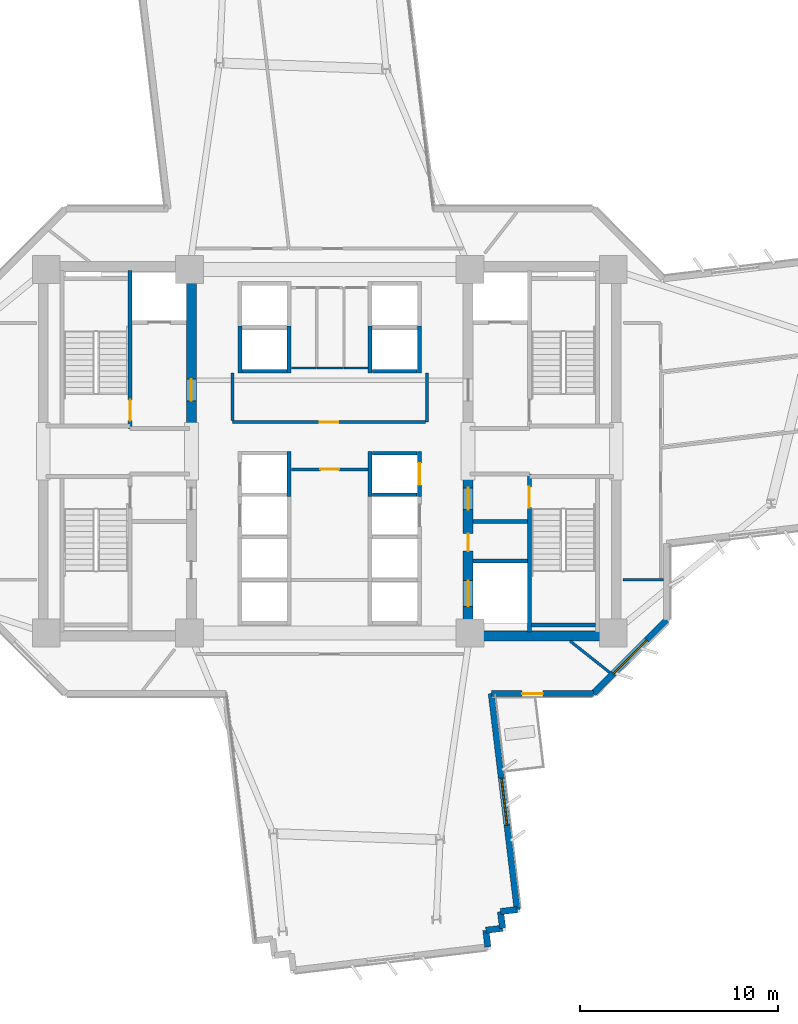
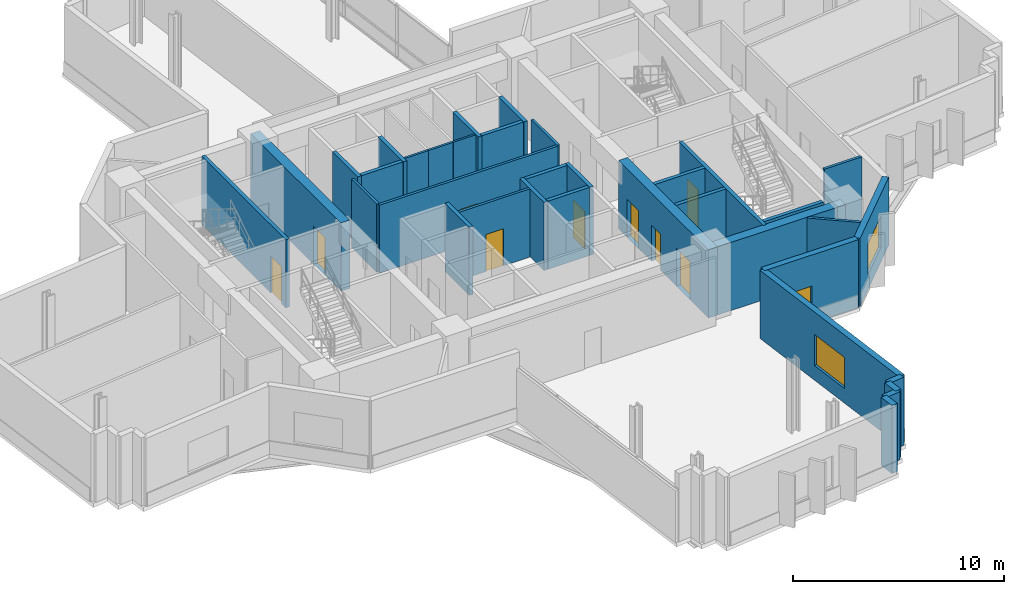
# One storey, part 7 of 15: 35 walls, 10 doors, 2 windows, 12 openings.
"""IFC4 building model written with IfcOpenShell, lengths in metres."""

from ifc_helpers import new_model, si_unit, direction, frame, frame_2d, origin, place, context, subcontext, project, spatial, rectangle, extrude, source, transform, mapped, material, layer, layer_set, type_object, element, fill, save


model = new_model("IFC4")

# Units and contexts
model_context = context("Model", 3, precision=1e-05, world=origin(), true_north=direction((0.0, 1.0)))
body_context = subcontext(model_context, "Body", "Model", "MODEL_VIEW")
ifc_project = project(units=[si_unit("LENGTHUNIT", "METRE"), si_unit("AREAUNIT", "SQUARE_METRE"), si_unit("VOLUMEUNIT", "CUBIC_METRE"), si_unit("PLANEANGLEUNIT", "RADIAN"), si_unit("MASSUNIT", "GRAM", prefix="KILO")], contexts=[model_context])

# Site, building, storey
site_placement = place(None, origin())
site = spatial("IfcSite", under=ifc_project, at=site_placement, CompositionType="ELEMENT")
building_placement = place(site_placement, origin())
building = spatial("IfcBuilding", under=site, at=building_placement, Name="Zahravan Cultural Tower", CompositionType="ELEMENT")
storey_placement = place(building_placement, frame((0.0, 0.0, 108.89990234375)))
storey = spatial("IfcBuildingStorey", under=building, at=storey_placement, Name="L24", CompositionType="ELEMENT", Elevation=108.89990234375)

# Wall, opening, door
ifc_material_1 = material(Name="Concrete C60/75", Category="concrete")
ifc_layer_1 = layer(ifc_material_1, 0.5)
ifc_layer_set_1 = layer_set([ifc_layer_1], Name="Concrete C60/75")
wall_type_1 = type_object("IfcWallType", Name="CW-SHEAR-500-C60", PredefinedType="SHEAR", material=ifc_layer_set_1)
wall_1_placement = place(storey_placement, frame((29.0, 28.050048828125, 0.0), z_axis=(0.0, 0.0, 1.0), x_axis=(0.0, 1.0, 0.0)))
wall_1 = element("IfcWall", 1, at=wall_1_placement, inside=storey, type_object=wall_type_1, Name="L24 Core Shear Wall CW-W-EN-L24", PredefinedType="SHEAR", context=body_context, shape_type="SweptSolid", body=[
    extrude(rectangle(XDim=8.550048828125, YDim=0.5, at=frame_2d((4.27490234375, 0.0))), origin(), (0.0, 0.0, 1.0), 3.9501953125),
])
opening_1_placement = place(wall_1_placement, frame((1.5, 0.0, 0.0)))
opening_1 = element("IfcOpeningElement", 2, at=opening_1_placement, cuts=wall_1, Name="Opening D-L24-05", PredefinedType="OPENING", context=body_context, shape_type="SweptSolid", body=[
    extrude(rectangle(XDim=1.10009765625, YDim=2.199951171875, at=frame_2d((0.550048828125, 1.10009765625))), frame((0.0, 0.260009765625, 0.0), z_axis=(0.0, -1.0, 0.0), x_axis=(1.0, 0.0, 0.0)), (0.0, 0.0, 1.0), 0.52001953125),
])
ifc_material_2 = material(Name="Steel ASTM A572 Grade 50", Category="steel")
door_type_1 = type_object("IfcDoorType", Name="DR-LOBBY-1100", OperationType="NOTDEFINED", PredefinedType="DOOR", material=ifc_material_2)
shared_shape_1 = source(origin(), body_context, "Body", "SweptSolid", [
    extrude(rectangle(XDim=1.10009765625, YDim=2.199951171875, at=frame_2d((0.550048828125, 1.10009765625))), frame((0.0, 0.02490234375, 0.0), z_axis=(0.0, -1.0, 0.0), x_axis=(1.0, 0.0, 0.0)), (0.0, 0.0, 1.0), 0.050048828125),
])
door_1_placement = place(opening_1_placement, origin())
door_1 = element("IfcDoor", 3, at=door_1_placement, inside=storey, type_object=door_type_1, Name="L24 Door D-L24-05", OperationType="SINGLE_SWING_RIGHT", OverallHeight=2.199951171875, OverallWidth=1.10009765625, PredefinedType="DOOR", context=body_context, shape_type="MappedRepresentation", body=[
    mapped(shared_shape_1, transform((0.0, 0.0, 0.0), x_axis=(1.0, 0.0, 0.0), y_axis=(0.0, 1.0, 0.0), z_axis=(0.0, 0.0, 1.0), scale=1.0)),
])
fill(opening_1, door_1)

# Wall, openings, doors
wall_2_placement = place(storey_placement, frame((43.0, 17.39990234375, 0.0), z_axis=(0.0, 0.0, 1.0), x_axis=(0.0, 1.0, 0.0)))
wall_2 = element("IfcWall", 4, at=wall_2_placement, inside=storey, type_object=wall_type_1, Name="L24 Core Shear Wall CW-E-WS-L24", PredefinedType="SHEAR", context=body_context, shape_type="SweptSolid", body=[
    extrude(rectangle(XDim=8.550048828125, YDim=0.5, at=frame_2d((4.27490234375, 0.0))), origin(), (0.0, 0.0, 1.0), 3.9501953125),
])
opening_2_placement = place(wall_2_placement, frame((6.64990234375, 0.0, 0.0)))
opening_2 = element("IfcOpeningElement", 5, at=opening_2_placement, cuts=wall_2, Name="Opening D-L24-08", PredefinedType="OPENING", context=body_context, shape_type="SweptSolid", body=[
    extrude(rectangle(XDim=1.10009765625, YDim=2.199951171875, at=frame_2d((0.550048828125, 1.10009765625))), frame((0.0, 0.260009765625, 0.0), z_axis=(0.0, -1.0, 0.0), x_axis=(1.0, 0.0, 0.0)), (0.0, 0.0, 1.0), 0.52001953125),
])
opening_3_placement = place(wall_2_placement, frame((1.75, 0.0, 0.0)))
opening_3 = element("IfcOpeningElement", 6, at=opening_3_placement, cuts=wall_2, Name="Opening LD-L24-03", PredefinedType="OPENING", context=body_context, shape_type="SweptSolid", body=[
    extrude(rectangle(XDim=1.300048828125, YDim=2.199951171875, at=frame_2d((0.64990234375, 1.10009765625))), frame((0.0, 0.260009765625, 0.0), z_axis=(0.0, -1.0, 0.0), x_axis=(1.0, 0.0, 0.0)), (0.0, 0.0, 1.0), 0.52001953125),
])
opening_4_placement = place(wall_2_placement, frame((4.550048828125, 0.0, 0.0)))
opening_4 = element("IfcOpeningElement", 7, at=opening_4_placement, cuts=wall_2, Name="Opening D-L24-10", PredefinedType="OPENING", context=body_context, shape_type="SweptSolid", body=[
    extrude(rectangle(XDim=0.8798828125, YDim=2.10009765625, at=frame_2d((0.43994140625, 1.050048828125))), frame((0.0, 0.260009765625, 0.0), z_axis=(0.0, -1.0, 0.0), x_axis=(1.0, 0.0, 0.0)), (0.0, 0.0, 1.0), 0.52001953125),
])
door_2_placement = place(opening_2_placement, origin())
door_2 = element("IfcDoor", 8, at=door_2_placement, inside=storey, type_object=door_type_1, Name="L24 Door D-L24-08", OperationType="SINGLE_SWING_LEFT", OverallHeight=2.199951171875, OverallWidth=1.10009765625, PredefinedType="DOOR", context=body_context, shape_type="MappedRepresentation", body=[
    mapped(shared_shape_1, transform((0.0, 0.0, 0.0), x_axis=(1.0, 0.0, 0.0), y_axis=(0.0, 1.0, 0.0), z_axis=(0.0, 0.0, 1.0), scale=1.0)),
])
fill(opening_2, door_2)
door_type_2 = type_object("IfcDoorType", Name="DR-LIFT-1300", OperationType="DOUBLE_DOOR_SLIDING", PredefinedType="DOOR", material=ifc_material_2)
shared_shape_2 = source(origin(), body_context, "Body", "SweptSolid", [
    extrude(rectangle(XDim=1.300048828125, YDim=2.199951171875, at=frame_2d((0.64990234375, 1.10009765625))), frame((0.0, 0.02490234375, 0.0), z_axis=(0.0, -1.0, 0.0), x_axis=(1.0, 0.0, 0.0)), (0.0, 0.0, 1.0), 0.050048828125),
])
door_3_placement = place(opening_3_placement, origin())
door_3 = element("IfcDoor", 9, at=door_3_placement, inside=storey, type_object=door_type_2, Name="L24 Door LD-L24-03", OperationType="DOUBLE_DOOR_SLIDING", OverallHeight=2.199951171875, OverallWidth=1.300048828125, PredefinedType="DOOR", context=body_context, shape_type="MappedRepresentation", body=[
    mapped(shared_shape_2, transform((0.0, 0.0, 0.0), x_axis=(1.0, 0.0, 0.0), y_axis=(0.0, 1.0, 0.0), z_axis=(0.0, 0.0, 1.0), scale=1.0)),
])
fill(opening_3, door_3)
door_type_3 = type_object("IfcDoorType", Name="DR-SVC-880", OperationType="NOTDEFINED", PredefinedType="DOOR", material=ifc_material_2)
shared_shape_3 = source(origin(), body_context, "Body", "SweptSolid", [
    extrude(rectangle(XDim=0.8798828125, YDim=2.10009765625, at=frame_2d((0.43994140625, 1.050048828125))), frame((0.0, 0.02490234375, 0.0), z_axis=(0.0, -1.0, 0.0), x_axis=(1.0, 0.0, 0.0)), (0.0, 0.0, 1.0), 0.050048828125),
])
door_4_placement = place(opening_4_placement, origin())
door_4 = element("IfcDoor", 10, at=door_4_placement, inside=storey, type_object=door_type_3, Name="L24 Door D-L24-10", OperationType="SINGLE_SWING_LEFT", OverallHeight=2.10009765625, OverallWidth=0.8798828125, PredefinedType="DOOR", context=body_context, shape_type="MappedRepresentation", body=[
    mapped(shared_shape_3, transform((0.0, 0.0, 0.0), x_axis=(1.0, 0.0, 0.0), y_axis=(0.0, 1.0, 0.0), z_axis=(0.0, 0.0, 1.0), scale=1.0)),
])
fill(opening_4, door_4)

# Wall, opening, window
ifc_material_3 = material(Name="Precast concrete C40/50", Category="concrete")
ifc_layer_2 = layer(ifc_material_3, 0.320068359375)
ifc_layer_set_2 = layer_set([ifc_layer_2], Name="Precast concrete C40/50")
wall_type_2 = type_object("IfcWallType", Name="EW-TC-320", PredefinedType="SOLIDWALL", material=ifc_layer_set_2)
wall_3_placement = place(storey_placement, frame((53.06005859375, 18.4580078125, 0.0), z_axis=(0.0, 0.0, 1.0), x_axis=(-0.707106781187, -0.707106781187, 0.0)))
wall_3 = element("IfcWall", 11, at=wall_3_placement, inside=storey, type_object=wall_type_2, Name="L24 Exterior Masonry Frame Wall 13", PredefinedType="SOLIDWALL", context=body_context, shape_type="SweptSolid", body=[
    extrude(rectangle(XDim=5.258056640625, YDim=0.320068359375, at=frame_2d((2.62890625, 0.0))), origin(), (0.0, 0.0, 1.0), 3.9501953125),
])
opening_5_placement = place(wall_3_placement, frame((1.428955078125, 0.0, 0.85009765625)))
opening_5 = element("IfcOpeningElement", 12, at=opening_5_placement, cuts=wall_3, Name="Opening WN-01", PredefinedType="OPENING", context=body_context, shape_type="SweptSolid", body=[
    extrude(rectangle(XDim=2.39990234375, YDim=1.800048828125, at=frame_2d((1.199951171875, 0.89990234375))), frame((0.0, 0.169921875, 0.0), z_axis=(0.0, -1.0, 0.0), x_axis=(1.0, 0.0, 0.0)), (0.0, 0.0, 1.0), 0.340087890625),
])
ifc_material_4 = material(Name="Low-E solar-control double glazing", Category="glass")
window_type = type_object("IfcWindowType", Name="WN-REC-2400X1800", PartitioningType="DOUBLE_PANEL_VERTICAL", PredefinedType="WINDOW", material=ifc_material_4)
shared_shape_4 = source(origin(), body_context, "Body", "SweptSolid", [
    extrude(rectangle(XDim=2.39990234375, YDim=1.800048828125, at=frame_2d((1.199951171875, 0.89990234375))), frame((0.0, 0.030029296875, 0.0), z_axis=(0.0, -1.0, 0.0), x_axis=(1.0, 0.0, 0.0)), (0.0, 0.0, 1.0), 0.06005859375),
])
window_1_placement = place(opening_5_placement, origin())
window_1 = element("IfcWindow", 13, at=window_1_placement, inside=storey, type_object=window_type, Name="L24 Recessed Solar Window 04", OverallHeight=1.800048828125, OverallWidth=2.39990234375, PartitioningType="DOUBLE_PANEL_VERTICAL", PredefinedType="WINDOW", context=body_context, shape_type="MappedRepresentation", body=[
    mapped(shared_shape_4, transform((0.0, 0.0, 0.0), x_axis=(1.0, 0.0, 0.0), y_axis=(0.0, 1.0, 0.0), z_axis=(0.0, 0.0, 1.0), scale=1.0)),
])
fill(opening_5, window_1)

# Wall, opening, door
wall_4_placement = place(storey_placement, frame((49.342041015625, 14.739990234375, 0.0), z_axis=(0.0, 0.0, 1.0), x_axis=(-1.0, 0.0, 0.0)))
wall_4 = element("IfcWall", 14, at=wall_4_placement, inside=storey, type_object=wall_type_2, Name="L24 Exterior Masonry Frame Wall 14", PredefinedType="SOLIDWALL", context=body_context, shape_type="SweptSolid", body=[
    extrude(rectangle(XDim=5.16357421875, YDim=0.320068359375, at=frame_2d((2.581787109375, 0.0))), origin(), (0.0, 0.0, 1.0), 3.9501953125),
])
opening_6_placement = place(wall_4_placement, frame((2.550048828125, 0.0, 0.0)))
opening_6 = element("IfcOpeningElement", 15, at=opening_6_placement, cuts=wall_4, Name="Opening D-L24-TR-SE", PredefinedType="OPENING", context=body_context, shape_type="SweptSolid", body=[
    extrude(rectangle(XDim=1.050048828125, YDim=2.14990234375, at=frame_2d((0.52490234375, 1.074951171875))), frame((0.0, 0.169921875, 0.0), z_axis=(0.0, -1.0, 0.0), x_axis=(1.0, 0.0, 0.0)), (0.0, 0.0, 1.0), 0.340087890625),
])
ifc_material_5 = material(Name="Anodised bronze-aluminium mullion", Category="aluminium")
door_type_4 = type_object("IfcDoorType", Name="DR-TERR-1050", OperationType="NOTDEFINED", PredefinedType="DOOR", material=ifc_material_5)
shared_shape_5 = source(origin(), body_context, "Body", "SweptSolid", [
    extrude(rectangle(XDim=1.050048828125, YDim=2.14990234375, at=frame_2d((0.52490234375, 1.074951171875))), frame((0.0, 0.02490234375, 0.0), z_axis=(0.0, -1.0, 0.0), x_axis=(1.0, 0.0, 0.0)), (0.0, 0.0, 1.0), 0.050048828125),
])
door_5_placement = place(opening_6_placement, origin())
door_5 = element("IfcDoor", 16, at=door_5_placement, inside=storey, type_object=door_type_4, Name="L24 Terrace Access Door SE", OperationType="SINGLE_SWING_LEFT", OverallHeight=2.14990234375, OverallWidth=1.050048828125, PredefinedType="DOOR", context=body_context, shape_type="MappedRepresentation", body=[
    mapped(shared_shape_5, transform((0.0, 0.0, 0.0), x_axis=(1.0, 0.0, 0.0), y_axis=(0.0, 1.0, 0.0), z_axis=(0.0, 0.0, 1.0), scale=1.0)),
])
fill(opening_6, door_5)

# Wall, opening, window
wall_5_placement = place(storey_placement, frame((44.178466796875, 14.739990234375, 0.0), z_axis=(0.0, 0.0, 1.0), x_axis=(0.119086653457, -0.992883864794, 0.0)))
wall_5 = element("IfcWall", 17, at=wall_5_placement, inside=storey, type_object=wall_type_2, Name="L24 Exterior Masonry Frame Wall 15", PredefinedType="SOLIDWALL", context=body_context, shape_type="SweptSolid", body=[
    extrude(rectangle(XDim=11.01318359375, YDim=0.320068359375, at=frame_2d((5.506591796875, 0.0))), origin(), (0.0, 0.0, 1.0), 3.9501953125),
])
opening_7_placement = place(wall_5_placement, frame((4.306884765625, 0.0, 0.85009765625)))
opening_7 = element("IfcOpeningElement", 18, at=opening_7_placement, cuts=wall_5, Name="Opening WN-01", PredefinedType="OPENING", context=body_context, shape_type="SweptSolid", body=[
    extrude(rectangle(XDim=2.39990234375, YDim=1.800048828125, at=frame_2d((1.199951171875, 0.89990234375))), frame((0.0, 0.169921875, 0.0), z_axis=(0.0, -1.0, 0.0), x_axis=(1.0, 0.0, 0.0)), (0.0, 0.0, 1.0), 0.340087890625),
])
window_2_placement = place(opening_7_placement, origin())
window_2 = element("IfcWindow", 19, at=window_2_placement, inside=storey, type_object=window_type, Name="L24 Recessed Solar Window 05", OverallHeight=1.800048828125, OverallWidth=2.39990234375, PartitioningType="DOUBLE_PANEL_VERTICAL", PredefinedType="WINDOW", context=body_context, shape_type="MappedRepresentation", body=[
    mapped(shared_shape_4, transform((0.0, 0.0, 0.0), x_axis=(1.0, 0.0, 0.0), y_axis=(0.0, 1.0, 0.0), z_axis=(0.0, 0.0, 1.0), scale=1.0)),
])
fill(opening_7, window_2)

# Wall, opening, door
ifc_material_6 = material(Name="Gypsum plasterboard partition")
ifc_layer_3 = layer(ifc_material_6, 0.139892578125)
ifc_layer_set_3 = layer_set([ifc_layer_3], Name="Gypsum plasterboard partition")
wall_type_3 = type_object("IfcWallType", Name="W-PART-140", PredefinedType="PARTITIONING", material=ifc_layer_set_3)
wall_6_placement = place(storey_placement, frame((34.054931640625, 26.080078125, 0.0), z_axis=(0.0, 0.0, 1.0), x_axis=(1.0, 0.0, 0.0)))
wall_6 = element("IfcWall", 20, at=wall_6_placement, inside=storey, type_object=wall_type_3, Name="L24 Interior Wall 074", PredefinedType="PARTITIONING", context=body_context, shape_type="SweptSolid", body=[
    extrude(rectangle(XDim=3.89013671875, YDim=0.139892578125, at=frame_2d((1.945068359375, 0.0))), origin(), (0.0, 0.0, 1.0), 3.9501953125),
])
opening_8_placement = place(wall_6_placement, frame((1.469970703125, 0.0, 0.0)))
opening_8 = element("IfcOpeningElement", 21, at=opening_8_placement, cuts=wall_6, Name="Opening D-L24-14", PredefinedType="OPENING", context=body_context, shape_type="SweptSolid", body=[
    extrude(rectangle(XDim=0.949951171875, YDim=2.14990234375, at=frame_2d((0.47509765625, 1.074951171875))), frame((0.0, 0.079833984375, 0.0), z_axis=(0.0, -1.0, 0.0), x_axis=(1.0, 0.0, 0.0)), (0.0, 0.0, 1.0), 0.159912109375),
])
door_type_5 = type_object("IfcDoorType", Name="DR-ROOM-950", OperationType="NOTDEFINED", PredefinedType="DOOR", material=ifc_material_5)
shared_shape_6 = source(origin(), body_context, "Body", "SweptSolid", [
    extrude(rectangle(XDim=0.949951171875, YDim=2.14990234375, at=frame_2d((0.47509765625, 1.074951171875))), frame((0.0, 0.02490234375, 0.0), z_axis=(0.0, -1.0, 0.0), x_axis=(1.0, 0.0, 0.0)), (0.0, 0.0, 1.0), 0.050048828125),
])
door_6_placement = place(opening_8_placement, origin())
door_6 = element("IfcDoor", 22, at=door_6_placement, inside=storey, type_object=door_type_5, Name="L24 Door D-L24-14", OperationType="SINGLE_SWING_LEFT", OverallHeight=2.14990234375, OverallWidth=0.949951171875, PredefinedType="DOOR", context=body_context, shape_type="MappedRepresentation", body=[
    mapped(shared_shape_6, transform((0.0, 0.0, 0.0), x_axis=(1.0, 0.0, 0.0), y_axis=(0.0, 1.0, 0.0), z_axis=(0.0, 0.0, 1.0), scale=1.0)),
])
fill(opening_8, door_6)

wall_7_placement = place(storey_placement, frame((40.844970703125, 28.47998046875, 0.0), z_axis=(0.0, 0.0, 1.0), x_axis=(-1.0, 0.0, 0.0)))
wall_7 = element("IfcWall", 23, at=wall_7_placement, inside=storey, type_object=wall_type_3, Name="L24 Interior Wall 077", PredefinedType="PARTITIONING", context=body_context, shape_type="SweptSolid", body=[
    extrude(rectangle(XDim=9.764892578125, YDim=0.139892578125, at=frame_2d((4.88232421875, 0.0))), origin(), (0.0, 0.0, 1.0), 3.9501953125),
])
opening_9_placement = place(wall_7_placement, frame((4.407470703125, 0.0, 0.0)))
opening_9 = element("IfcOpeningElement", 24, at=opening_9_placement, cuts=wall_7, Name="Opening D-L24-15", PredefinedType="OPENING", context=body_context, shape_type="SweptSolid", body=[
    extrude(rectangle(XDim=0.949951171875, YDim=2.14990234375, at=frame_2d((0.47509765625, 1.074951171875))), frame((0.0, 0.079833984375, 0.0), z_axis=(0.0, -1.0, 0.0), x_axis=(1.0, 0.0, 0.0)), (0.0, 0.0, 1.0), 0.159912109375),
])
door_7_placement = place(opening_9_placement, origin())
door_7 = element("IfcDoor", 25, at=door_7_placement, inside=storey, type_object=door_type_5, Name="L24 Door D-L24-15", OperationType="SINGLE_SWING_RIGHT", OverallHeight=2.14990234375, OverallWidth=0.949951171875, PredefinedType="DOOR", context=body_context, shape_type="MappedRepresentation", body=[
    mapped(shared_shape_6, transform((0.0, 0.0, 0.0), x_axis=(1.0, 0.0, 0.0), y_axis=(0.0, 1.0, 0.0), z_axis=(0.0, 0.0, 1.0), scale=1.0)),
])
fill(opening_9, door_7)

ifc_material_7 = material(Name="Concrete C45/55", Category="concrete")
ifc_layer_4 = layer(ifc_material_7, 0.199951171875)
ifc_layer_set_4 = layer_set([ifc_layer_4], Name="Concrete C45/55")
wall_type_4 = type_object("IfcWallType", Name="W-SHAFT-200", PredefinedType="SOLIDWALL", material=ifc_layer_set_4)
wall_8_placement = place(storey_placement, frame((25.89990234375, 28.14990234375, 0.0), z_axis=(0.0, 0.0, 1.0), x_axis=(0.0, 1.0, 0.0)))
wall_8 = element("IfcWall", 26, at=wall_8_placement, inside=storey, type_object=wall_type_4, Name="L24 Interior Wall 006", PredefinedType="SOLIDWALL", context=body_context, shape_type="SweptSolid", body=[
    extrude(rectangle(XDim=8.0, YDim=0.199951171875, at=frame_2d((4.0, 0.0))), origin(), (0.0, 0.0, 1.0), 3.9501953125),
])
opening_10_placement = place(wall_8_placement, frame((0.39990234375, 0.0, 0.0)))
opening_10 = element("IfcOpeningElement", 27, at=opening_10_placement, cuts=wall_8, Name="Opening D-L24-01", PredefinedType="OPENING", context=body_context, shape_type="SweptSolid", body=[
    extrude(rectangle(XDim=1.050048828125, YDim=2.14990234375, at=frame_2d((0.52490234375, 1.074951171875))), frame((0.0, 0.10986328125, 0.0), z_axis=(0.0, -1.0, 0.0), x_axis=(1.0, 0.0, 0.0)), (0.0, 0.0, 1.0), 0.219970703125),
])
door_type_6 = type_object("IfcDoorType", Name="DR-STAIR-1050", OperationType="NOTDEFINED", PredefinedType="DOOR", material=ifc_material_2)
door_8_placement = place(opening_10_placement, origin())
door_8 = element("IfcDoor", 28, at=door_8_placement, inside=storey, type_object=door_type_6, Name="L24 Door D-L24-01", OperationType="SINGLE_SWING_RIGHT", OverallHeight=2.14990234375, OverallWidth=1.050048828125, PredefinedType="DOOR", context=body_context, shape_type="MappedRepresentation", body=[
    mapped(shared_shape_5, transform((0.0, 0.0, 0.0), x_axis=(1.0, 0.0, 0.0), y_axis=(0.0, 1.0, 0.0), z_axis=(0.0, 0.0, 1.0), scale=1.0)),
])
fill(opening_10, door_8)

wall_9_placement = place(storey_placement, frame((46.10009765625, 17.85009765625, 0.0), z_axis=(0.0, 0.0, 1.0), x_axis=(0.0, 1.0, 0.0)))
wall_9 = element("IfcWall", 29, at=wall_9_placement, inside=storey, type_object=wall_type_4, Name="L24 Interior Wall 007", PredefinedType="SOLIDWALL", context=body_context, shape_type="SweptSolid", body=[
    extrude(rectangle(XDim=8.0, YDim=0.199951171875, at=frame_2d((4.0, 0.0))), origin(), (0.0, 0.0, 1.0), 3.9501953125),
])
opening_11_placement = place(wall_9_placement, frame((6.300048828125, 0.0, 0.0)))
opening_11 = element("IfcOpeningElement", 30, at=opening_11_placement, cuts=wall_9, Name="Opening D-L24-03", PredefinedType="OPENING", context=body_context, shape_type="SweptSolid", body=[
    extrude(rectangle(XDim=1.050048828125, YDim=2.14990234375, at=frame_2d((0.52490234375, 1.074951171875))), frame((0.0, 0.10986328125, 0.0), z_axis=(0.0, -1.0, 0.0), x_axis=(1.0, 0.0, 0.0)), (0.0, 0.0, 1.0), 0.219970703125),
])
door_9_placement = place(opening_11_placement, origin())
door_9 = element("IfcDoor", 31, at=door_9_placement, inside=storey, type_object=door_type_6, Name="L24 Door D-L24-03", OperationType="SINGLE_SWING_RIGHT", OverallHeight=2.14990234375, OverallWidth=1.050048828125, PredefinedType="DOOR", context=body_context, shape_type="MappedRepresentation", body=[
    mapped(shared_shape_5, transform((0.0, 0.0, 0.0), x_axis=(1.0, 0.0, 0.0), y_axis=(0.0, 1.0, 0.0), z_axis=(0.0, 0.0, 1.0), scale=1.0)),
])
fill(opening_11, door_9)

wall_10_placement = place(storey_placement, frame((40.550048828125, 24.699951171875, 0.0), z_axis=(0.0, 0.0, 1.0), x_axis=(0.0, 1.0, 0.0)))
wall_10 = element("IfcWall", 32, at=wall_10_placement, inside=storey, type_object=wall_type_4, Name="L24 Interior Wall 061", PredefinedType="SOLIDWALL", context=body_context, shape_type="SweptSolid", body=[
    extrude(rectangle(XDim=2.300048828125, YDim=0.199951171875, at=frame_2d((1.14990234375, 0.0))), origin(), (0.0, 0.0, 1.0), 3.9501953125),
])
opening_12_placement = place(wall_10_placement, frame((0.60009765625, 0.0, 0.0)))
opening_12 = element("IfcOpeningElement", 33, at=opening_12_placement, cuts=wall_10, Name="Opening LD-L24-06", PredefinedType="OPENING", context=body_context, shape_type="SweptSolid", body=[
    extrude(rectangle(XDim=1.10009765625, YDim=2.14990234375, at=frame_2d((0.550048828125, 1.074951171875))), frame((0.0, 0.10986328125, 0.0), z_axis=(0.0, -1.0, 0.0), x_axis=(1.0, 0.0, 0.0)), (0.0, 0.0, 1.0), 0.219970703125),
])
door_type_7 = type_object("IfcDoorType", Name="DR-LIFT-1100", OperationType="DOUBLE_DOOR_SLIDING", PredefinedType="DOOR", material=ifc_material_2)
shared_shape_7 = source(origin(), body_context, "Body", "SweptSolid", [
    extrude(rectangle(XDim=1.10009765625, YDim=2.14990234375, at=frame_2d((0.550048828125, 1.074951171875))), frame((0.0, 0.02490234375, 0.0), z_axis=(0.0, -1.0, 0.0), x_axis=(1.0, 0.0, 0.0)), (0.0, 0.0, 1.0), 0.050048828125),
])
door_10_placement = place(opening_12_placement, origin())
door_10 = element("IfcDoor", 34, at=door_10_placement, inside=storey, type_object=door_type_7, Name="L24 Door LD-L24-06", OperationType="DOUBLE_DOOR_SLIDING", OverallHeight=2.14990234375, OverallWidth=1.10009765625, PredefinedType="DOOR", context=body_context, shape_type="MappedRepresentation", body=[
    mapped(shared_shape_7, transform((0.0, 0.0, 0.0), x_axis=(1.0, 0.0, 0.0), y_axis=(0.0, 1.0, 0.0), z_axis=(0.0, 0.0, 1.0), scale=1.0)),
])
fill(opening_12, door_10)

# Walls
shared_shape_8 = source(origin(), body_context, "Body", "SweptSolid", [
    extrude(rectangle(XDim=7.0, YDim=0.5, at=frame_2d((3.5, 0.0))), origin(), (0.0, 0.0, 1.0), 3.9501953125),
])
wall_11_placement = place(storey_placement, frame((43.25, 17.64990234375, 0.0), z_axis=(0.0, 0.0, 1.0), x_axis=(1.0, 0.0, 0.0)))
element("IfcWall", 35, at=wall_11_placement, inside=storey, type_object=wall_type_1, Name="L24 Core Shear Wall CW-E-S-L24", PredefinedType="SHEAR", context=body_context, shape_type="MappedRepresentation", body=[
    mapped(shared_shape_8, transform((0.0, 0.0, 0.0), x_axis=(1.0, 0.0, 0.0), y_axis=(0.0, 1.0, 0.0), z_axis=(0.0, 0.0, 1.0), scale=1.0)),
])
shared_shape_9 = source(origin(), body_context, "Body", "SweptSolid", [
    extrude(rectangle(XDim=0.85009765625, YDim=0.320068359375, at=frame_2d((0.425048828125, 0.0))), origin(), (0.0, 0.0, 1.0), 3.9501953125),
])
for number, where, z_axis, x_axis, name in (
    (36, (45.489990234375, 3.80517578125, 0.0), (0.0, 0.0, 1.0), (-0.992871401376, -0.119190521137, 0.0), "L24 Exterior Masonry Frame Wall 16"),
    (37, (44.64599609375, 3.703857421875, 0.0), (0.0, 0.0, 1.0), (0.119190521137, -0.992871401376, 0.0), "L24 Exterior Masonry Frame Wall 17"),
    (38, (44.747314453125, 2.85986328125, 0.0), (0.0, 0.0, 1.0), (-0.992905350382, -0.118907380694, 0.0), "L24 Exterior Masonry Frame Wall 18"),
    (39, (43.9033203125, 2.7587890625, 0.0), (0.0, 0.0, 1.0), (0.118907380694, -0.992905350382, 0.0), "L24 Exterior Masonry Frame Wall 19"),
):
    element("IfcWall", number, at=place(storey_placement, frame(where, z_axis=z_axis, x_axis=x_axis)), inside=storey, type_object=wall_type_2, Name=name, PredefinedType="SOLIDWALL", context=body_context, shape_type="MappedRepresentation", body=[
        mapped(shared_shape_9, transform((0.0, 0.0, 0.0), x_axis=(1.0, 0.0, 0.0), y_axis=(0.0, 1.0, 0.0), z_axis=(0.0, 0.0, 1.0), scale=1.0)),
    ])
shared_shape_10 = source(origin(), body_context, "Body", "SweptSolid", [
    extrude(rectangle(XDim=3.25, YDim=0.199951171875, at=frame_2d((1.625, 0.0))), origin(), (0.0, 0.0, 1.0), 3.9501953125),
])
wall_12_placement = place(storey_placement, frame((46.199951171875, 18.199951171875, 0.0), z_axis=(0.0, 0.0, 1.0), x_axis=(1.0, 0.0, 0.0)))
element("IfcWall", 40, at=wall_12_placement, inside=storey, type_object=wall_type_4, Name="L24 Interior Wall 020", PredefinedType="SOLIDWALL", context=body_context, shape_type="MappedRepresentation", body=[
    mapped(shared_shape_10, transform((0.0, 0.0, 0.0), x_axis=(1.0, 0.0, 0.0), y_axis=(0.0, 1.0, 0.0), z_axis=(0.0, 0.0, 1.0), scale=1.0)),
])
shared_shape_11 = source(origin(), body_context, "Body", "SweptSolid", [
    extrude(rectangle(XDim=2.75, YDim=0.199951171875, at=frame_2d((1.375, 0.0))), origin(), (0.0, 0.0, 1.0), 3.9501953125),
])
for number, where, z_axis, x_axis, name in (
    (41, (43.25, 23.449951171875, 0.0), (0.0, 0.0, 1.0), (1.0, 0.0, 0.0), "L24 Interior Wall 024"),
    (42, (43.25, 21.449951171875, 0.0), (0.0, 0.0, 1.0), (1.0, 0.0, 0.0), "L24 Interior Wall 025"),
):
    element("IfcWall", number, at=place(storey_placement, frame(where, z_axis=z_axis, x_axis=x_axis)), inside=storey, type_object=wall_type_4, Name=name, PredefinedType="SOLIDWALL", context=body_context, shape_type="MappedRepresentation", body=[
        mapped(shared_shape_11, transform((0.0, 0.0, 0.0), x_axis=(1.0, 0.0, 0.0), y_axis=(0.0, 1.0, 0.0), z_axis=(0.0, 0.0, 1.0), scale=1.0)),
    ])
shared_shape_12 = source(origin(), body_context, "Body", "SweptSolid", [
    extrude(rectangle(XDim=2.400146484375, YDim=0.199951171875, at=frame_2d((1.2001953125, 0.0))), origin(), (0.0, 0.0, 1.0), 3.9501953125),
])
for number, where, z_axis, x_axis, name in (
    (43, (31.449951171875, 30.949951171875, 0.0), (0.0, 0.0, 1.0), (0.0, 1.0, 0.0), "L24 Interior Wall 030"),
    (44, (33.949951171875, 30.949951171875, 0.0), (0.0, 0.0, 1.0), (0.0, 1.0, 0.0), "L24 Interior Wall 031"),
    (45, (38.050048828125, 30.949951171875, 0.0), (0.0, 0.0, 1.0), (0.0, 1.0, 0.0), "L24 Interior Wall 037"),
    (46, (40.550048828125, 30.949951171875, 0.0), (0.0, 0.0, 1.0), (0.0, 1.0, 0.0), "L24 Interior Wall 038"),
):
    element("IfcWall", number, at=place(storey_placement, frame(where, z_axis=z_axis, x_axis=x_axis)), inside=storey, type_object=wall_type_4, Name=name, PredefinedType="SOLIDWALL", context=body_context, shape_type="MappedRepresentation", body=[
        mapped(shared_shape_12, transform((0.0, 0.0, 0.0), x_axis=(1.0, 0.0, 0.0), y_axis=(0.0, 1.0, 0.0), z_axis=(0.0, 0.0, 1.0), scale=1.0)),
    ])
shared_shape_13 = source(origin(), body_context, "Body", "SweptSolid", [
    extrude(rectangle(XDim=2.260009765625, YDim=0.199951171875, at=frame_2d((1.1298828125, 0.0))), origin(), (0.0, 0.0, 1.0), 3.9501953125),
])
for number, where, z_axis, x_axis, name in (
    (47, (31.570068359375, 31.050048828125, 0.0), (0.0, 0.0, 1.0), (1.0, 0.0, 0.0), "L24 Interior Wall 032"),
    (48, (38.169921875, 31.050048828125, 0.0), (0.0, 0.0, 1.0), (1.0, 0.0, 0.0), "L24 Interior Wall 039"),
    (49, (38.169921875, 24.800048828125, 0.0), (0.0, 0.0, 1.0), (1.0, 0.0, 0.0), "L24 Interior Wall 062"),
    (50, (38.169921875, 26.89990234375, 0.0), (0.0, 0.0, 1.0), (1.0, 0.0, 0.0), "L24 Interior Wall 063"),
):
    element("IfcWall", number, at=place(storey_placement, frame(where, z_axis=z_axis, x_axis=x_axis)), inside=storey, type_object=wall_type_4, Name=name, PredefinedType="SOLIDWALL", context=body_context, shape_type="MappedRepresentation", body=[
        mapped(shared_shape_13, transform((0.0, 0.0, 0.0), x_axis=(1.0, 0.0, 0.0), y_axis=(0.0, 1.0, 0.0), z_axis=(0.0, 0.0, 1.0), scale=1.0)),
    ])
shared_shape_14 = source(origin(), body_context, "Body", "SweptSolid", [
    extrude(rectangle(XDim=2.300048828125, YDim=0.199951171875, at=frame_2d((1.14990234375, 0.0))), origin(), (0.0, 0.0, 1.0), 3.9501953125),
])
for number, where, z_axis, x_axis, name in (
    (51, (33.949951171875, 24.699951171875, 0.0), (0.0, 0.0, 1.0), (0.0, 1.0, 0.0), "L24 Interior Wall 055"),
    (52, (38.050048828125, 24.699951171875, 0.0), (0.0, 0.0, 1.0), (0.0, 1.0, 0.0), "L24 Interior Wall 060"),
):
    element("IfcWall", number, at=place(storey_placement, frame(where, z_axis=z_axis, x_axis=x_axis)), inside=storey, type_object=wall_type_4, Name=name, PredefinedType="SOLIDWALL", context=body_context, shape_type="MappedRepresentation", body=[
        mapped(shared_shape_14, transform((0.0, 0.0, 0.0), x_axis=(1.0, 0.0, 0.0), y_axis=(0.0, 1.0, 0.0), z_axis=(0.0, 0.0, 1.0), scale=1.0)),
    ])
ifc_layer_5 = layer(ifc_material_6, 0.114990234375)
ifc_layer_set_5 = layer_set([ifc_layer_5], Name="Gypsum plasterboard partition")
wall_type_5 = type_object("IfcWallType", Name="W-WC-115", PredefinedType="PARTITIONING", material=ifc_layer_set_5)
shared_shape_15 = source(origin(), body_context, "Body", "SweptSolid", [
    extrude(rectangle(XDim=1.22509765625, YDim=0.114990234375, at=frame_2d((0.612548828125, 0.0))), origin(), (0.0, 0.0, 1.0), 3.9501953125),
])
wall_13_placement = place(storey_placement, frame((37.945068359375, 31.219970703125, 0.0), z_axis=(0.0, 0.0, 1.0), x_axis=(-1.0, 0.0, 0.0)))
element("IfcWall", 53, at=wall_13_placement, inside=storey, type_object=wall_type_5, Name="L24 Interior Wall 066", PredefinedType="PARTITIONING", context=body_context, shape_type="MappedRepresentation", body=[
    mapped(shared_shape_15, transform((0.0, 0.0, 0.0), x_axis=(1.0, 0.0, 0.0), y_axis=(0.0, 1.0, 0.0), z_axis=(0.0, 0.0, 1.0), scale=1.0)),
])
shared_shape_16 = source(origin(), body_context, "Body", "SweptSolid", [
    extrude(rectangle(XDim=1.28515625, YDim=0.114990234375, at=frame_2d((0.642578125, 0.0))), origin(), (0.0, 0.0, 1.0), 3.9501953125),
])
wall_14_placement = place(storey_placement, frame((35.340087890625, 31.219970703125, 0.0), z_axis=(0.0, 0.0, 1.0), x_axis=(-1.0, 0.0, 0.0)))
element("IfcWall", 54, at=wall_14_placement, inside=storey, type_object=wall_type_5, Name="L24 Interior Wall 069", PredefinedType="PARTITIONING", context=body_context, shape_type="MappedRepresentation", body=[
    mapped(shared_shape_16, transform((0.0, 0.0, 0.0), x_axis=(1.0, 0.0, 0.0), y_axis=(0.0, 1.0, 0.0), z_axis=(0.0, 0.0, 1.0), scale=1.0)),
])
shared_shape_17 = source(origin(), body_context, "Body", "SweptSolid", [
    extrude(rectangle(XDim=1.33984375, YDim=0.114990234375, at=frame_2d((0.669921875, 0.0))), origin(), (0.0, 0.0, 1.0), 3.9501953125),
])
wall_15_placement = place(storey_placement, frame((36.699951171875, 31.219970703125, 0.0), z_axis=(0.0, 0.0, 1.0), x_axis=(-1.0, 0.0, 0.0)))
element("IfcWall", 55, at=wall_15_placement, inside=storey, type_object=wall_type_5, Name="L24 Interior Wall 072", PredefinedType="PARTITIONING", context=body_context, shape_type="MappedRepresentation", body=[
    mapped(shared_shape_17, transform((0.0, 0.0, 0.0), x_axis=(1.0, 0.0, 0.0), y_axis=(0.0, 1.0, 0.0), z_axis=(0.0, 0.0, 1.0), scale=1.0)),
])
shared_shape_18 = source(origin(), body_context, "Body", "SweptSolid", [
    extrude(rectangle(XDim=2.39501953125, YDim=0.139892578125, at=frame_2d((1.197509765625, 0.0))), origin(), (0.0, 0.0, 1.0), 3.9501953125),
])
wall_16_placement = place(storey_placement, frame((31.080078125, 28.554931640625, 0.0), z_axis=(0.0, 0.0, 1.0), x_axis=(0.0, 1.0, 0.0)))
element("IfcWall", 56, at=wall_16_placement, inside=storey, type_object=wall_type_3, Name="L24 Interior Wall 078", PredefinedType="PARTITIONING", context=body_context, shape_type="MappedRepresentation", body=[
    mapped(shared_shape_18, transform((0.0, 0.0, 0.0), x_axis=(1.0, 0.0, 0.0), y_axis=(0.0, 1.0, 0.0), z_axis=(0.0, 0.0, 1.0), scale=1.0)),
])
shared_shape_19 = source(origin(), body_context, "Body", "SweptSolid", [
    extrude(rectangle(XDim=2.469970703125, YDim=0.139892578125, at=frame_2d((1.23486328125, 0.0))), origin(), (0.0, 0.0, 1.0), 3.9501953125),
])
wall_17_placement = place(storey_placement, frame((40.919921875, 30.949951171875, 0.0), z_axis=(0.0, 0.0, 1.0), x_axis=(0.0, -1.0, 0.0)))
element("IfcWall", 57, at=wall_17_placement, inside=storey, type_object=wall_type_3, Name="L24 Interior Wall 076", PredefinedType="PARTITIONING", context=body_context, shape_type="MappedRepresentation", body=[
    mapped(shared_shape_19, transform((0.0, 0.0, 0.0), x_axis=(1.0, 0.0, 0.0), y_axis=(0.0, 1.0, 0.0), z_axis=(0.0, 0.0, 1.0), scale=1.0)),
])
shared_shape_20 = source(origin(), body_context, "Body", "SweptSolid", [
    extrude(rectangle(XDim=2.04736328125, YDim=0.139892578125, at=frame_2d((1.023681640625, 0.0))), origin(), (0.0, 0.0, 1.0), 3.9501953125),
])
wall_18_placement = place(storey_placement, frame((50.8525390625, 20.50244140625, 0.0), z_axis=(0.0, 0.0, 1.0), x_axis=(0.999999289016, -0.001192462782, 0.0)))
element("IfcWall", 58, at=wall_18_placement, inside=storey, type_object=wall_type_3, Name="L24 Interior Wall 088", PredefinedType="PARTITIONING", context=body_context, shape_type="MappedRepresentation", body=[
    mapped(shared_shape_20, transform((0.0, 0.0, 0.0), x_axis=(1.0, 0.0, 0.0), y_axis=(0.0, 1.0, 0.0), z_axis=(0.0, 0.0, 1.0), scale=1.0)),
])
shared_shape_21 = source(origin(), body_context, "Body", "SweptSolid", [
    extrude(rectangle(XDim=2.5595703125, YDim=0.139892578125, at=frame_2d((1.27978515625, 0.0))), origin(), (0.0, 0.0, 1.0), 3.9501953125),
])
wall_19_placement = place(storey_placement, frame((50.172607421875, 15.803955078125, 0.0), z_axis=(0.0, 0.0, 1.0), x_axis=(-0.783347138409, 0.621584475954, 0.0)))
element("IfcWall", 59, at=wall_19_placement, inside=storey, type_object=wall_type_3, Name="L24 Interior Wall 090", PredefinedType="PARTITIONING", context=body_context, shape_type="MappedRepresentation", body=[
    mapped(shared_shape_21, transform((0.0, 0.0, 0.0), x_axis=(1.0, 0.0, 0.0), y_axis=(0.0, 1.0, 0.0), z_axis=(0.0, 0.0, 1.0), scale=1.0)),
])

save(model, "model.ifc")
